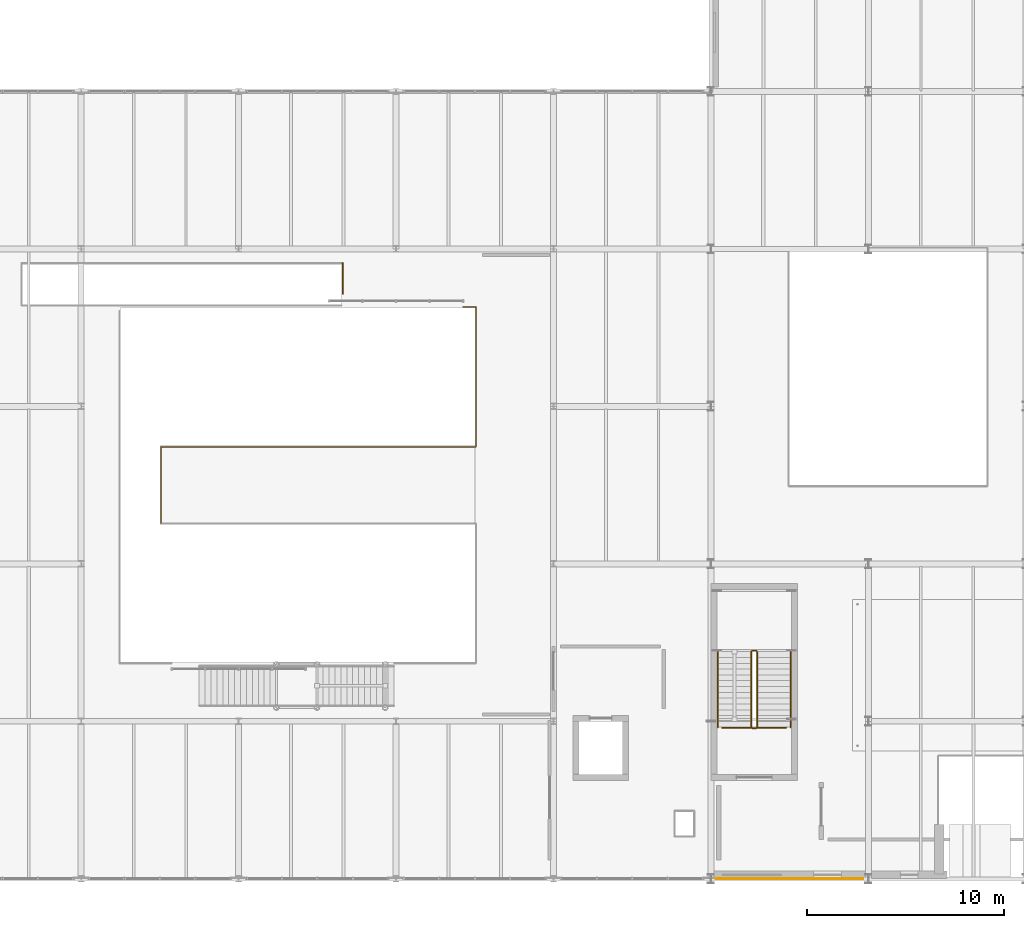
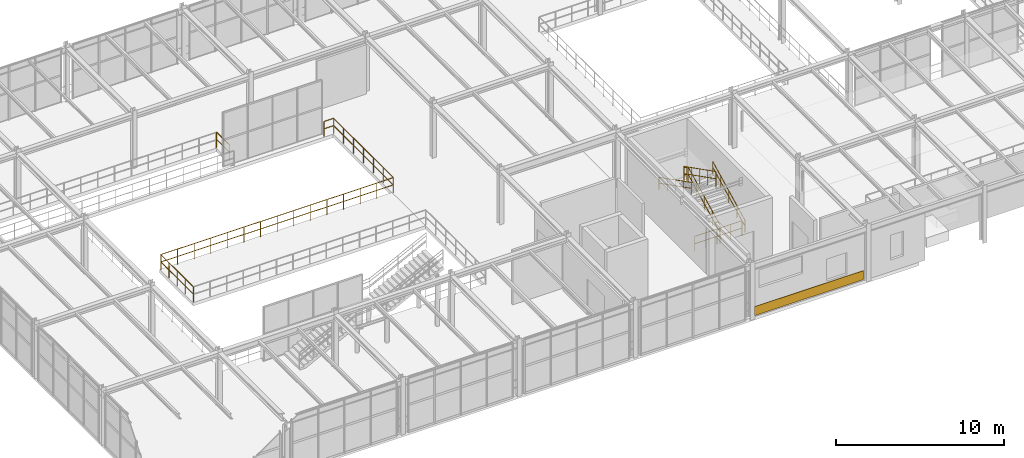
# One storey, part 117 of 124: 10 railings, 1 covering.
"""IFC4 building model written with IfcOpenShell, lengths in metres."""

from ifc_helpers import new_model, si_unit, direction, frame, origin, origin_2d, place, context, subcontext, project, spatial, rectangle, circle, extrude, material, layer, layer_set, type_object, element, save


model = new_model("IFC4")

# Units and contexts
model_context = context("Model", 3, precision=1e-05, world=origin(), true_north=direction((0.0, 1.0)))
body_context = subcontext(model_context, "Body", "Model", "MODEL_VIEW")
ifc_project = project(units=[si_unit("LENGTHUNIT", "METRE"), si_unit("AREAUNIT", "SQUARE_METRE"), si_unit("VOLUMEUNIT", "CUBIC_METRE"), si_unit("PLANEANGLEUNIT", "RADIAN"), si_unit("MASSUNIT", "GRAM", prefix="KILO")], contexts=[model_context])

# Site, building, storey
site_placement = place(None, origin())
site = spatial("IfcSite", under=ifc_project, at=site_placement, CompositionType="ELEMENT")
building_placement = place(site_placement, origin())
building = spatial("IfcBuilding", under=site, at=building_placement, Name="Sundkrona Museum", CompositionType="ELEMENT")
storey_placement = place(building_placement, frame((0.0, 0.0, 17.60009765625)))
storey = spatial("IfcBuildingStorey", under=building, at=storey_placement, Name="L03", CompositionType="ELEMENT", Elevation=17.60009765625)

# Covering
ifc_material_1 = material(Name="Frost-Resistant Vitrified Stoneware Mosaic Cladding", Category="masonry")
ifc_layer = layer(ifc_material_1, 0.044921875)
ifc_layer_set = layer_set([ifc_layer], Name="Frost-Resistant Vitrified Stoneware Mosaic Cladding")
covering_type = type_object("IfcCoveringType", Name="COV-CLD-MOS", PredefinedType="CLADDING", material=ifc_layer_set)
covering_placement = place(storey_placement, frame((124.0, 0.0, 0.094970703125), z_axis=(0.0, 0.0, 1.0), x_axis=(1.0, 0.0, 0.0)))
element("IfcCovering", 1, at=covering_placement, inside=storey, type_object=covering_type, Name="L03 Vitrified Stoneware Mosaic Spandrel 011", PredefinedType="CLADDING", context=body_context, shape_type="SweptSolid", body=[
    extrude(rectangle(XDim=7.49609375, YDim=0.044921875, at=origin_2d()), origin(), (0.0, 0.0, 1.0), 0.64990234375),
])

# Railings
ifc_material_2 = material(Name="Painted Steel S355J2 and Laminated Glass Balustrade", Category="steel")
railing_type_1 = type_object("IfcRailingType", Name="RL-GUARD-1100", PredefinedType="BALUSTRADE", material=ifc_material_2)
railing_1_placement = place(storey_placement, frame((122.35009765625, 7.699951171875, 0.14990234375)))
element("IfcRailing", 2, at=railing_1_placement, inside=storey, type_object=railing_type_1, Name="L03 ST-2 stair guard 1", PredefinedType="BALUSTRADE", context=body_context, shape_type="SweptSolid", body=[
    extrude(circle(Radius=0.02392578125, at=origin_2d()), frame((0.0, 0.0, 1.076171875), z_axis=(0.0, 0.891387850335, 0.453241326752), x_axis=(-1.0, 0.0, 0.0)), (0.0, 0.0, 1.0), 4.30224609375),
    extrude(circle(Radius=0.02392578125, at=origin_2d()), frame((0.0, 0.0, 0.550048828125), z_axis=(0.0, 0.891387850335, 0.453241326752), x_axis=(-1.0, 0.0, 0.0)), (0.0, 0.0, 1.0), 4.30224609375),
    extrude(circle(Radius=0.02099609375, at=origin_2d()), origin(), (0.0, 0.0, 1.0), 1.052001953125),
    extrude(circle(Radius=0.02099609375, at=origin_2d()), frame((0.0, 0.958740234375, 0.487548828125)), (0.0, 0.0, 1.0), 1.052001953125),
    extrude(circle(Radius=0.02099609375, at=origin_2d()), frame((0.0, 1.91748046875, 0.97509765625)), (0.0, 0.0, 1.0), 1.052001953125),
    extrude(circle(Radius=0.02099609375, at=origin_2d()), frame((0.0, 2.876220703125, 1.46240234375)), (0.0, 0.0, 1.0), 1.052001953125),
    extrude(circle(Radius=0.02099609375, at=origin_2d()), frame((0.0, 3.8349609375, 1.949951171875)), (0.0, 0.0, 1.0), 1.052001953125),
])
railing_2_placement = place(storey_placement, frame((122.300048828125, 11.5849609375, 2.099853515625)))
element("IfcRailing", 3, at=railing_2_placement, inside=storey, type_object=railing_type_1, Name="L03 ST-2 stair guard 2", PredefinedType="BALUSTRADE", context=body_context, shape_type="SweptSolid", body=[
    extrude(circle(Radius=0.02392578125, at=origin_2d()), frame((0.0, 0.0, 1.076171875), z_axis=(-1.0, 0.0, 0.0), x_axis=(0.0, -1.0, 0.0)), (0.0, 0.0, 1.0), 0.199951171875),
    extrude(circle(Radius=0.02392578125, at=origin_2d()), frame((0.0, 0.0, 0.550048828125), z_axis=(-1.0, 0.0, 0.0), x_axis=(0.0, -1.0, 0.0)), (0.0, 0.0, 1.0), 0.199951171875),
    extrude(circle(Radius=0.02099609375, at=origin_2d()), origin(), (0.0, 0.0, 1.0), 1.052001953125),
    extrude(circle(Radius=0.02099609375, at=origin_2d()), frame((-0.199951171875, 0.0, 0.0)), (0.0, 0.0, 1.0), 1.052001953125),
])
railing_3_placement = place(storey_placement, frame((122.050048828125, 11.534912109375, 2.25)))
element("IfcRailing", 4, at=railing_3_placement, inside=storey, type_object=railing_type_1, Name="L03 ST-2 stair guard 3", PredefinedType="BALUSTRADE", context=body_context, shape_type="SweptSolid", body=[
    extrude(circle(Radius=0.02392578125, at=origin_2d()), frame((0.0, 0.0, 1.076171875), z_axis=(0.0, -0.891387850335, 0.453241326752), x_axis=(1.0, 0.0, 0.0)), (0.0, 0.0, 1.0), 4.30224609375),
    extrude(circle(Radius=0.02392578125, at=origin_2d()), frame((0.0, 0.0, 0.550048828125), z_axis=(0.0, -0.891387850335, 0.453241326752), x_axis=(1.0, 0.0, 0.0)), (0.0, 0.0, 1.0), 4.30224609375),
    extrude(circle(Radius=0.02099609375, at=origin_2d()), origin(), (0.0, 0.0, 1.0), 1.052001953125),
    extrude(circle(Radius=0.02099609375, at=origin_2d()), frame((0.0, -0.958740234375, 0.487548828125)), (0.0, 0.0, 1.0), 1.052001953125),
    extrude(circle(Radius=0.02099609375, at=origin_2d()), frame((0.0, -1.91748046875, 0.97509765625)), (0.0, 0.0, 1.0), 1.052001953125),
    extrude(circle(Radius=0.02099609375, at=origin_2d()), frame((0.0, -2.876220703125, 1.46240234375)), (0.0, 0.0, 1.0), 1.052001953125),
    extrude(circle(Radius=0.02099609375, at=origin_2d()), frame((0.0, -3.8349609375, 1.949951171875)), (0.0, 0.0, 1.0), 1.052001953125),
])
railing_4_placement = place(storey_placement, frame((122.300048828125, 7.64990234375, 0.0)))
element("IfcRailing", 5, at=railing_4_placement, inside=storey, type_object=railing_type_1, Name="L03 ST-2 stair guard 4", PredefinedType="BALUSTRADE", context=body_context, shape_type="SweptSolid", body=[
    extrude(circle(Radius=0.02392578125, at=origin_2d()), frame((0.0, 0.0, 1.076171875), z_axis=(-1.0, 0.0, 0.0), x_axis=(0.0, -1.0, 0.0)), (0.0, 0.0, 1.0), 0.199951171875),
    extrude(circle(Radius=0.02392578125, at=origin_2d()), frame((0.0, 0.0, 0.550048828125), z_axis=(-1.0, 0.0, 0.0), x_axis=(0.0, -1.0, 0.0)), (0.0, 0.0, 1.0), 0.199951171875),
    extrude(circle(Radius=0.02099609375, at=origin_2d()), origin(), (0.0, 0.0, 1.0), 1.052001953125),
    extrude(circle(Radius=0.02099609375, at=origin_2d()), frame((-0.199951171875, 0.0, 0.0)), (0.0, 0.0, 1.0), 1.052001953125),
])
railing_5_placement = place(storey_placement, frame((92.06005859375, 18.06005859375, 0.0)))
element("IfcRailing", 6, at=railing_5_placement, inside=storey, type_object=railing_type_1, Name="L03 Edge Protection Balustrade 027", PredefinedType="BALUSTRADE", context=body_context, shape_type="SweptSolid", body=[
    extrude(circle(Radius=0.02392578125, at=origin_2d()), frame((0.0, 0.0, 1.09619140625), z_axis=(0.0, 1.0, 0.0), x_axis=(-1.0, 0.0, 0.0)), (0.0, 0.0, 1.0), 3.8798828125),
    extrude(circle(Radius=0.02392578125, at=origin_2d()), frame((0.0, 0.0, 0.56005859375), z_axis=(0.0, 1.0, 0.0), x_axis=(-1.0, 0.0, 0.0)), (0.0, 0.0, 1.0), 3.8798828125),
    extrude(circle(Radius=0.02392578125, at=origin_2d()), frame((0.0, 3.8798828125, 1.09619140625), z_axis=(1.0, 0.0, 0.0), x_axis=(0.0, 1.0, 0.0)), (0.0, 0.0, 1.0), 16.0),
    extrude(circle(Radius=0.02392578125, at=origin_2d()), frame((0.0, 3.8798828125, 0.56005859375), z_axis=(1.0, 0.0, 0.0), x_axis=(0.0, 1.0, 0.0)), (0.0, 0.0, 1.0), 16.0),
    extrude(circle(Radius=0.02392578125, at=origin_2d()), frame((16.0, 3.8798828125, 1.09619140625), z_axis=(0.0, 1.0, 0.0), x_axis=(-1.0, 0.0, 0.0)), (0.0, 0.0, 1.0), 7.1201171875),
    extrude(circle(Radius=0.02392578125, at=origin_2d()), frame((16.0, 3.8798828125, 0.56005859375), z_axis=(0.0, 1.0, 0.0), x_axis=(-1.0, 0.0, 0.0)), (0.0, 0.0, 1.0), 7.1201171875),
    extrude(circle(Radius=0.02392578125, at=origin_2d()), frame((16.0, 11.0, 1.09619140625), z_axis=(-1.0, 0.0, 0.0), x_axis=(0.0, -1.0, 0.0)), (0.0, 0.0, 1.0), 0.66015625),
    extrude(circle(Radius=0.02392578125, at=origin_2d()), frame((16.0, 11.0, 0.56005859375), z_axis=(-1.0, 0.0, 0.0), x_axis=(0.0, -1.0, 0.0)), (0.0, 0.0, 1.0), 0.66015625),
    extrude(circle(Radius=0.02099609375, at=origin_2d()), origin(), (0.0, 0.0, 1.0), 1.072021484375),
    extrude(circle(Radius=0.02099609375, at=origin_2d()), frame((0.0, 0.969970703125, 0.0)), (0.0, 0.0, 1.0), 1.072021484375),
    extrude(circle(Radius=0.02099609375, at=origin_2d()), frame((0.0, 1.93994140625, 0.0)), (0.0, 0.0, 1.0), 1.072021484375),
    extrude(circle(Radius=0.02099609375, at=origin_2d()), frame((0.0, 2.909912109375, 0.0)), (0.0, 0.0, 1.0), 1.072021484375),
    extrude(circle(Radius=0.02099609375, at=origin_2d()), frame((0.0, 3.8798828125, 0.0)), (0.0, 0.0, 1.0), 1.072021484375),
    extrude(circle(Radius=0.02099609375, at=origin_2d()), frame((1.142822265625, 3.8798828125, 0.0)), (0.0, 0.0, 1.0), 1.072021484375),
    extrude(circle(Radius=0.02099609375, at=origin_2d()), frame((2.28564453125, 3.8798828125, 0.0)), (0.0, 0.0, 1.0), 1.072021484375),
    extrude(circle(Radius=0.02099609375, at=origin_2d()), frame((3.428466796875, 3.8798828125, 0.0)), (0.0, 0.0, 1.0), 1.072021484375),
    extrude(circle(Radius=0.02099609375, at=origin_2d()), frame((4.571533203125, 3.8798828125, 0.0)), (0.0, 0.0, 1.0), 1.072021484375),
    extrude(circle(Radius=0.02099609375, at=origin_2d()), frame((5.71435546875, 3.8798828125, 0.0)), (0.0, 0.0, 1.0), 1.072021484375),
    extrude(circle(Radius=0.02099609375, at=origin_2d()), frame((6.857177734375, 3.8798828125, 0.0)), (0.0, 0.0, 1.0), 1.072021484375),
    extrude(circle(Radius=0.02099609375, at=origin_2d()), frame((8.0, 3.8798828125, 0.0)), (0.0, 0.0, 1.0), 1.072021484375),
    extrude(circle(Radius=0.02099609375, at=origin_2d()), frame((9.142822265625, 3.8798828125, 0.0)), (0.0, 0.0, 1.0), 1.072021484375),
    extrude(circle(Radius=0.02099609375, at=origin_2d()), frame((10.28564453125, 3.8798828125, 0.0)), (0.0, 0.0, 1.0), 1.072021484375),
    extrude(circle(Radius=0.02099609375, at=origin_2d()), frame((11.428466796875, 3.8798828125, 0.0)), (0.0, 0.0, 1.0), 1.072021484375),
    extrude(circle(Radius=0.02099609375, at=origin_2d()), frame((12.571533203125, 3.8798828125, 0.0)), (0.0, 0.0, 1.0), 1.072021484375),
    extrude(circle(Radius=0.02099609375, at=origin_2d()), frame((13.71435546875, 3.8798828125, 0.0)), (0.0, 0.0, 1.0), 1.072021484375),
    extrude(circle(Radius=0.02099609375, at=origin_2d()), frame((14.857177734375, 3.8798828125, 0.0)), (0.0, 0.0, 1.0), 1.072021484375),
    extrude(circle(Radius=0.02099609375, at=origin_2d()), frame((16.0, 3.8798828125, 0.0)), (0.0, 0.0, 1.0), 1.072021484375),
    extrude(circle(Radius=0.02099609375, at=origin_2d()), frame((16.0, 5.066650390625, 0.0)), (0.0, 0.0, 1.0), 1.072021484375),
    extrude(circle(Radius=0.02099609375, at=origin_2d()), frame((16.0, 6.253173828125, 0.0)), (0.0, 0.0, 1.0), 1.072021484375),
    extrude(circle(Radius=0.02099609375, at=origin_2d()), frame((16.0, 7.43994140625, 0.0)), (0.0, 0.0, 1.0), 1.072021484375),
    extrude(circle(Radius=0.02099609375, at=origin_2d()), frame((16.0, 8.626708984375, 0.0)), (0.0, 0.0, 1.0), 1.072021484375),
    extrude(circle(Radius=0.02099609375, at=origin_2d()), frame((16.0, 9.813232421875, 0.0)), (0.0, 0.0, 1.0), 1.072021484375),
    extrude(circle(Radius=0.02099609375, at=origin_2d()), frame((16.0, 11.0, 0.0)), (0.0, 0.0, 1.0), 1.072021484375),
    extrude(circle(Radius=0.02099609375, at=origin_2d()), frame((15.33984375, 11.0, 0.0)), (0.0, 0.0, 1.0), 1.072021484375),
])
railing_6_placement = place(storey_placement, frame((101.300048828125, 29.719970703125, 0.0)))
element("IfcRailing", 7, at=railing_6_placement, inside=storey, type_object=railing_type_1, Name="L03 Edge Protection Balustrade 030", PredefinedType="BALUSTRADE", context=body_context, shape_type="SweptSolid", body=[
    extrude(circle(Radius=0.02392578125, at=origin_2d()), frame((0.0, 0.0, 1.09619140625), z_axis=(0.0, 1.0, 0.0), x_axis=(-1.0, 0.0, 0.0)), (0.0, 0.0, 1.0), 1.56005859375),
    extrude(circle(Radius=0.02392578125, at=origin_2d()), frame((0.0, 0.0, 0.56005859375), z_axis=(0.0, 1.0, 0.0), x_axis=(-1.0, 0.0, 0.0)), (0.0, 0.0, 1.0), 1.56005859375),
    extrude(circle(Radius=0.02392578125, at=origin_2d()), frame((0.0, 1.56005859375, 1.09619140625), z_axis=(-1.0, 0.0, 0.0), x_axis=(0.0, -1.0, 0.0)), (0.0, 0.0, 1.0), 0.0400390625),
    extrude(circle(Radius=0.02392578125, at=origin_2d()), frame((0.0, 1.56005859375, 0.56005859375), z_axis=(-1.0, 0.0, 0.0), x_axis=(0.0, -1.0, 0.0)), (0.0, 0.0, 1.0), 0.0400390625),
    extrude(circle(Radius=0.02099609375, at=origin_2d()), origin(), (0.0, 0.0, 1.0), 1.072021484375),
    extrude(circle(Radius=0.02099609375, at=origin_2d()), frame((0.0, 0.780029296875, 0.0)), (0.0, 0.0, 1.0), 1.072021484375),
    extrude(circle(Radius=0.02099609375, at=origin_2d()), frame((0.0, 1.56005859375, 0.0)), (0.0, 0.0, 1.0), 1.072021484375),
    extrude(circle(Radius=0.02099609375, at=origin_2d()), frame((-0.0400390625, 1.56005859375, 0.0)), (0.0, 0.0, 1.0), 1.072021484375),
])
for number, where, name in (
    (8, (120.580078125, 7.6650390625, 0.0), "L03 Edge Protection Balustrade 038"),
    (9, (122.300048828125, 7.6650390625, 0.0), "L03 Edge Protection Balustrade 039"),
):
    element("IfcRailing", number, at=place(storey_placement, frame(where)), inside=storey, type_object=railing_type_1, Name=name, PredefinedType="BALUSTRADE", context=body_context, shape_type="SweptSolid", body=[
        extrude(circle(Radius=0.02392578125, at=origin_2d()), frame((0.0, 0.0, 1.09619140625), z_axis=(1.0, 0.0, 0.0), x_axis=(0.0, 1.0, 0.0)), (0.0, 0.0, 1.0), 1.52001953125),
        extrude(circle(Radius=0.02392578125, at=origin_2d()), frame((0.0, 0.0, 0.56005859375), z_axis=(1.0, 0.0, 0.0), x_axis=(0.0, 1.0, 0.0)), (0.0, 0.0, 1.0), 1.52001953125),
        extrude(circle(Radius=0.02099609375, at=origin_2d()), origin(), (0.0, 0.0, 1.0), 1.072021484375),
        extrude(circle(Radius=0.02099609375, at=origin_2d()), frame((0.760009765625, 0.0, 0.0)), (0.0, 0.0, 1.0), 1.072021484375),
        extrude(circle(Radius=0.02099609375, at=origin_2d()), frame((1.52001953125, 0.0, 0.0)), (0.0, 0.0, 1.0), 1.072021484375),
    ])
ifc_material_3 = material(Name="Brushed Bronze-Clad Steel Handrail", Category="steel")
railing_type_2 = type_object("IfcRailingType", Name="RL-HAND-900", PredefinedType="HANDRAIL", material=ifc_material_3)
railing_7_placement = place(storey_placement, frame((124.050048828125, 7.699951171875, 0.14990234375)))
element("IfcRailing", 10, at=railing_7_placement, inside=storey, type_object=railing_type_2, Name="L03 ST-2 stair handrail 1", PredefinedType="HANDRAIL", context=body_context, shape_type="SweptSolid", body=[
    extrude(circle(Radius=0.02392578125, at=origin_2d()), frame((0.0, 0.0, 0.8759765625), z_axis=(0.0, 0.891387850335, 0.453241326752), x_axis=(-1.0, 0.0, 0.0)), (0.0, 0.0, 1.0), 4.30224609375),
    extrude(circle(Radius=0.02392578125, at=origin_2d()), frame((0.0, 0.0, 0.449951171875), z_axis=(0.0, 0.891387850335, 0.453241326752), x_axis=(-1.0, 0.0, 0.0)), (0.0, 0.0, 1.0), 4.30224609375),
    extrude(circle(Radius=0.02099609375, at=origin_2d()), origin(), (0.0, 0.0, 1.0), 0.851806640625),
    extrude(circle(Radius=0.02099609375, at=origin_2d()), frame((0.0, 0.958740234375, 0.487548828125)), (0.0, 0.0, 1.0), 0.851806640625),
    extrude(circle(Radius=0.02099609375, at=origin_2d()), frame((0.0, 1.91748046875, 0.97509765625)), (0.0, 0.0, 1.0), 0.851806640625),
    extrude(circle(Radius=0.02099609375, at=origin_2d()), frame((0.0, 2.876220703125, 1.46240234375)), (0.0, 0.0, 1.0), 0.851806640625),
    extrude(circle(Radius=0.02099609375, at=origin_2d()), frame((0.0, 3.8349609375, 1.949951171875)), (0.0, 0.0, 1.0), 0.851806640625),
])
railing_8_placement = place(storey_placement, frame((120.35009765625, 11.534912109375, 2.25)))
element("IfcRailing", 11, at=railing_8_placement, inside=storey, type_object=railing_type_2, Name="L03 ST-2 stair handrail 2", PredefinedType="HANDRAIL", context=body_context, shape_type="SweptSolid", body=[
    extrude(circle(Radius=0.02392578125, at=origin_2d()), frame((0.0, 0.0, 0.8759765625), z_axis=(0.0, -0.891387850335, 0.453241326752), x_axis=(1.0, 0.0, 0.0)), (0.0, 0.0, 1.0), 4.30224609375),
    extrude(circle(Radius=0.02392578125, at=origin_2d()), frame((0.0, 0.0, 0.449951171875), z_axis=(0.0, -0.891387850335, 0.453241326752), x_axis=(1.0, 0.0, 0.0)), (0.0, 0.0, 1.0), 4.30224609375),
    extrude(circle(Radius=0.02099609375, at=origin_2d()), origin(), (0.0, 0.0, 1.0), 0.851806640625),
    extrude(circle(Radius=0.02099609375, at=origin_2d()), frame((0.0, -0.958740234375, 0.487548828125)), (0.0, 0.0, 1.0), 0.851806640625),
    extrude(circle(Radius=0.02099609375, at=origin_2d()), frame((0.0, -1.91748046875, 0.97509765625)), (0.0, 0.0, 1.0), 0.851806640625),
    extrude(circle(Radius=0.02099609375, at=origin_2d()), frame((0.0, -2.876220703125, 1.46240234375)), (0.0, 0.0, 1.0), 0.851806640625),
    extrude(circle(Radius=0.02099609375, at=origin_2d()), frame((0.0, -3.8349609375, 1.949951171875)), (0.0, 0.0, 1.0), 0.851806640625),
])

save(model, "model.ifc")
